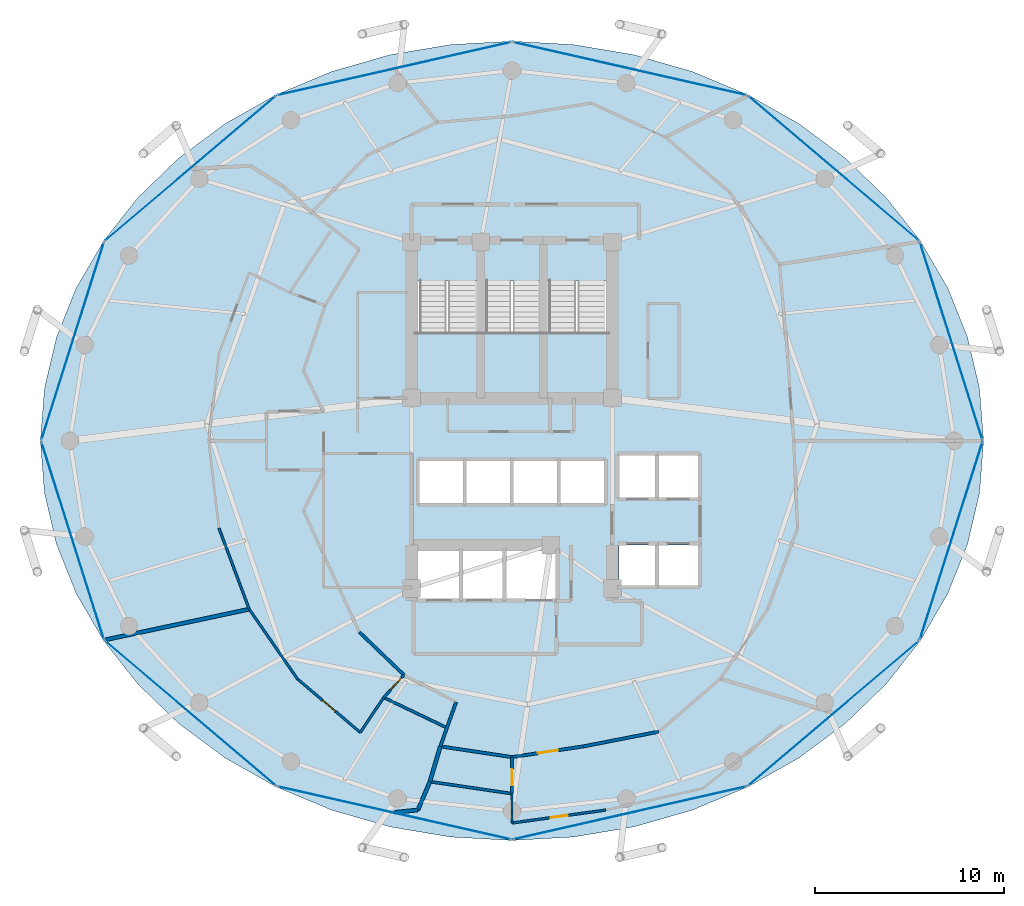
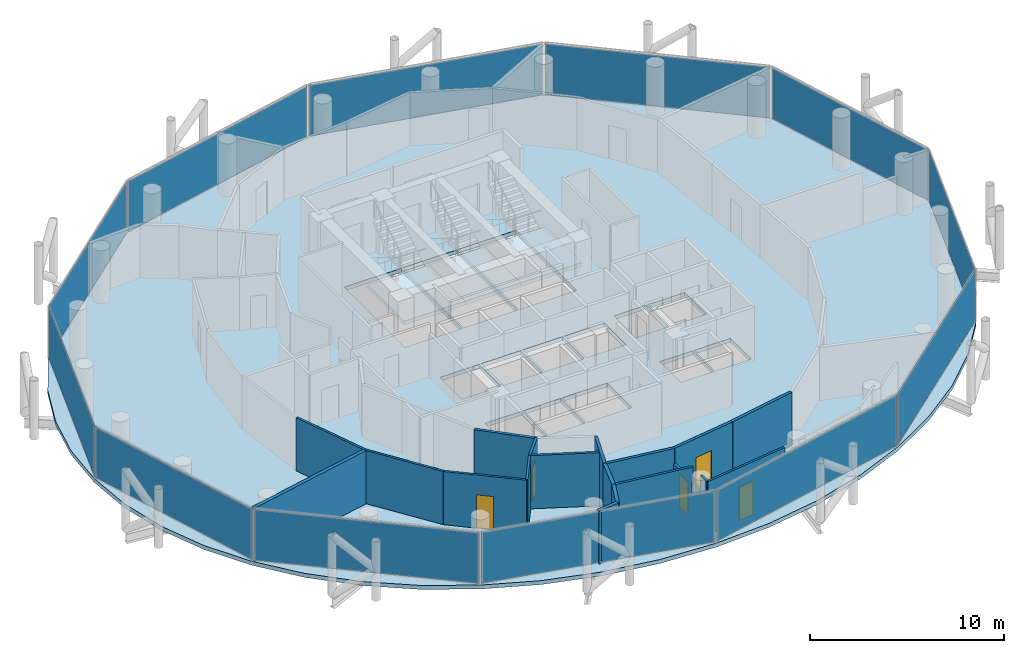
# One storey, part 21 of 26: 20 walls, 12 plates, 5 doors, 4 slabs, 5 openings, 15 elements without a shape of their own.
"""IFC4 building model written with IfcOpenShell, lengths in metres."""

from ifc_helpers import new_model, si_unit, direction, frame, frame_2d, origin, origin_2d, place, context, subcontext, project, spatial, polyline, rectangle, outline, extrude, material, layer, layer_set, type_object, element, fill, aggregate, save


model = new_model("IFC4")

# Units and contexts
model_context = context("Model", 3, precision=1e-05, world=origin(), true_north=direction((0.0, 1.0)))
body_context = subcontext(model_context, "Body", "Model", "MODEL_VIEW")
ifc_project = project(units=[si_unit("LENGTHUNIT", "METRE"), si_unit("AREAUNIT", "SQUARE_METRE"), si_unit("VOLUMEUNIT", "CUBIC_METRE"), si_unit("PLANEANGLEUNIT", "RADIAN"), si_unit("MASSUNIT", "GRAM", prefix="KILO")], contexts=[model_context])

# Site, building, storey
site_placement = place(None, origin())
site = spatial("IfcSite", under=ifc_project, at=site_placement, CompositionType="ELEMENT")
building_placement = place(site_placement, origin())
building = spatial("IfcBuilding", under=site, at=building_placement, Name="Nuhasar Tower", CompositionType="ELEMENT")
storey_placement = place(building_placement, frame((0.0, 0.0, 192.25)))
storey = spatial("IfcBuildingStorey", under=building, at=storey_placement, Name="L47", CompositionType="ELEMENT", Elevation=192.25)

# Curtain wall, plate
ifc_material_1 = material(Name="Aluminium 6063-T6", Category="aluminium")
ifc_layer_1 = layer(ifc_material_1, 0.199951171875)
ifc_layer_set_1 = layer_set([ifc_layer_1], Name="Aluminium 6063-T6")
curtain_wall_type = type_object("IfcCurtainWallType", Name="CW-Z2-HTL", PredefinedType="NOTDEFINED", material=ifc_layer_set_1)
curtain_wall_1_placement = place(storey_placement, origin())
curtain_wall_1 = element("IfcCurtainWall", 1, at=curtain_wall_1_placement, inside=storey, type_object=curtain_wall_type, Name="L47 Unitised Curtain Wall 01", PredefinedType="NOTDEFINED")
ifc_material_2 = material(Name="Glass Double Low-E", Category="glass")
ifc_layer_2 = layer(ifc_material_2, 0.028076171875)
ifc_layer_set_2 = layer_set([ifc_layer_2], Name="Glass Double Low-E")
plate_type = type_object("IfcPlateType", Name="CW-PANEL-GLZ", PredefinedType="CURTAIN_PANEL", material=ifc_layer_set_2)
plate_1_placement = place(storey_placement, frame((62.194580078125, 32.06494140625, 0.070068359375), z_axis=(0.0, 0.0, 1.0), x_axis=(-0.301603667577, 0.953433389233, 0.0)))
plate_1 = element("IfcPlate", 2, at=plate_1_placement, type_object=plate_type, Name="CW-Z2 panel 1.1", PredefinedType="CURTAIN_PANEL", context=body_context, shape_type="SweptSolid", body=[
    extrude(rectangle(XDim=10.904296875, YDim=0.028076171875, at=origin_2d()), origin(), (0.0, 0.0, 1.0), 3.2099609375),
])
aggregate(curtain_wall_1, [plate_1])

curtain_wall_2_placement = place(storey_placement, origin())
curtain_wall_2 = element("IfcCurtainWall", 3, at=curtain_wall_2_placement, inside=storey, type_object=curtain_wall_type, Name="L47 Unitised Curtain Wall 02", PredefinedType="NOTDEFINED")
plate_2_placement = place(storey_placement, frame((55.9794921875, 41.18408203125, 0.070068359375), z_axis=(0.0, 0.0, 1.0), x_axis=(-0.763020370292, 0.646374438324, 0.0)))
plate_2 = element("IfcPlate", 4, at=plate_2_placement, type_object=plate_type, Name="CW-Z2 panel 1.1", PredefinedType="CURTAIN_PANEL", context=body_context, shape_type="SweptSolid", body=[
    extrude(rectangle(XDim=11.784912109375, YDim=0.028076171875, at=origin_2d()), origin(), (0.0, 0.0, 1.0), 3.2099609375),
])
aggregate(curtain_wall_2, [plate_2])

curtain_wall_3_placement = place(storey_placement, origin())
curtain_wall_3 = element("IfcCurtainWall", 5, at=curtain_wall_3_placement, inside=storey, type_object=curtain_wall_type, Name="L47 Unitised Curtain Wall 03", PredefinedType="NOTDEFINED")
plate_3_placement = place(storey_placement, frame((45.215087890625, 46.448974609375, 0.070068359375), z_axis=(0.0, 0.0, 1.0), x_axis=(-0.975183694221, 0.22139729566, 0.0)))
plate_3 = element("IfcPlate", 6, at=plate_3_placement, type_object=plate_type, Name="CW-Z2 panel 1.1", PredefinedType="CURTAIN_PANEL", context=body_context, shape_type="SweptSolid", body=[
    extrude(rectangle(XDim=12.606201171875, YDim=0.028076171875, at=origin_2d()), origin(), (0.0, 0.0, 1.0), 3.2099609375),
])
aggregate(curtain_wall_3, [plate_3])

curtain_wall_4_placement = place(storey_placement, origin())
curtain_wall_4 = element("IfcCurtainWall", 7, at=curtain_wall_4_placement, inside=storey, type_object=curtain_wall_type, Name="L47 Unitised Curtain Wall 04", PredefinedType="NOTDEFINED")
plate_4_placement = place(storey_placement, frame((32.784912109375, 46.448974609375, 0.070068359375), z_axis=(0.0, 0.0, 1.0), x_axis=(-0.975183694221, -0.22139729566, 0.0)))
plate_4 = element("IfcPlate", 8, at=plate_4_placement, type_object=plate_type, Name="CW-Z2 panel 1.1", PredefinedType="CURTAIN_PANEL", context=body_context, shape_type="SweptSolid", body=[
    extrude(rectangle(XDim=12.606201171875, YDim=0.028076171875, at=origin_2d()), origin(), (0.0, 0.0, 1.0), 3.2099609375),
])
aggregate(curtain_wall_4, [plate_4])

curtain_wall_5_placement = place(storey_placement, origin())
curtain_wall_5 = element("IfcCurtainWall", 9, at=curtain_wall_5_placement, inside=storey, type_object=curtain_wall_type, Name="L47 Unitised Curtain Wall 05", PredefinedType="NOTDEFINED")
plate_5_placement = place(storey_placement, frame((22.0205078125, 41.18408203125, 0.070068359375), z_axis=(0.0, 0.0, 1.0), x_axis=(-0.763020370292, -0.646374438324, 0.0)))
plate_5 = element("IfcPlate", 10, at=plate_5_placement, type_object=plate_type, Name="CW-Z2 panel 1.1", PredefinedType="CURTAIN_PANEL", context=body_context, shape_type="SweptSolid", body=[
    extrude(rectangle(XDim=11.784912109375, YDim=0.028076171875, at=origin_2d()), origin(), (0.0, 0.0, 1.0), 3.2099609375),
])
aggregate(curtain_wall_5, [plate_5])

curtain_wall_6_placement = place(storey_placement, origin())
curtain_wall_6 = element("IfcCurtainWall", 11, at=curtain_wall_6_placement, inside=storey, type_object=curtain_wall_type, Name="L47 Unitised Curtain Wall 06", PredefinedType="NOTDEFINED")
plate_6_placement = place(storey_placement, frame((15.805419921875, 32.06494140625, 0.070068359375), z_axis=(0.0, 0.0, 1.0), x_axis=(-0.301603667577, -0.953433389233, 0.0)))
plate_6 = element("IfcPlate", 12, at=plate_6_placement, type_object=plate_type, Name="CW-Z2 panel 1.1", PredefinedType="CURTAIN_PANEL", context=body_context, shape_type="SweptSolid", body=[
    extrude(rectangle(XDim=10.904296875, YDim=0.028076171875, at=origin_2d()), origin(), (0.0, 0.0, 1.0), 3.2099609375),
])
aggregate(curtain_wall_6, [plate_6])

curtain_wall_7_placement = place(storey_placement, origin())
curtain_wall_7 = element("IfcCurtainWall", 13, at=curtain_wall_7_placement, inside=storey, type_object=curtain_wall_type, Name="L47 Unitised Curtain Wall 07", PredefinedType="NOTDEFINED")
plate_7_placement = place(storey_placement, frame((15.805419921875, 21.534912109375, 0.070068359375), z_axis=(0.0, 0.0, 1.0), x_axis=(0.301603667577, -0.953433389233, 0.0)))
plate_7 = element("IfcPlate", 14, at=plate_7_placement, type_object=plate_type, Name="CW-Z2 panel 1.1", PredefinedType="CURTAIN_PANEL", context=body_context, shape_type="SweptSolid", body=[
    extrude(rectangle(XDim=10.904296875, YDim=0.028076171875, at=origin_2d()), origin(), (0.0, 0.0, 1.0), 3.2099609375),
])
aggregate(curtain_wall_7, [plate_7])

curtain_wall_8_placement = place(storey_placement, origin())
curtain_wall_8 = element("IfcCurtainWall", 15, at=curtain_wall_8_placement, inside=storey, type_object=curtain_wall_type, Name="L47 Unitised Curtain Wall 08", PredefinedType="NOTDEFINED")
plate_8_placement = place(storey_placement, frame((22.0205078125, 12.416015625, 0.070068359375), z_axis=(0.0, 0.0, 1.0), x_axis=(0.763020370292, -0.646374438324, 0.0)))
plate_8 = element("IfcPlate", 16, at=plate_8_placement, type_object=plate_type, Name="CW-Z2 panel 1.1", PredefinedType="CURTAIN_PANEL", context=body_context, shape_type="SweptSolid", body=[
    extrude(rectangle(XDim=11.784912109375, YDim=0.028076171875, at=origin_2d()), origin(), (0.0, 0.0, 1.0), 3.2099609375),
])
aggregate(curtain_wall_8, [plate_8])

curtain_wall_9_placement = place(storey_placement, origin())
curtain_wall_9 = element("IfcCurtainWall", 17, at=curtain_wall_9_placement, inside=storey, type_object=curtain_wall_type, Name="L47 Unitised Curtain Wall 09", PredefinedType="NOTDEFINED")
plate_9_placement = place(storey_placement, frame((32.784912109375, 7.15087890625, 0.070068359375), z_axis=(0.0, 0.0, 1.0), x_axis=(0.975183694221, -0.22139729566, 0.0)))
plate_9 = element("IfcPlate", 18, at=plate_9_placement, type_object=plate_type, Name="CW-Z2 panel 1.1", PredefinedType="CURTAIN_PANEL", context=body_context, shape_type="SweptSolid", body=[
    extrude(rectangle(XDim=12.606201171875, YDim=0.028076171875, at=origin_2d()), origin(), (0.0, 0.0, 1.0), 3.2099609375),
])
aggregate(curtain_wall_9, [plate_9])

curtain_wall_10_placement = place(storey_placement, origin())
curtain_wall_10 = element("IfcCurtainWall", 19, at=curtain_wall_10_placement, inside=storey, type_object=curtain_wall_type, Name="L47 Unitised Curtain Wall 10", PredefinedType="NOTDEFINED")
plate_10_placement = place(storey_placement, frame((45.215087890625, 7.15087890625, 0.070068359375), z_axis=(0.0, 0.0, 1.0), x_axis=(0.975183694221, 0.22139729566, 0.0)))
plate_10 = element("IfcPlate", 20, at=plate_10_placement, type_object=plate_type, Name="CW-Z2 panel 1.1", PredefinedType="CURTAIN_PANEL", context=body_context, shape_type="SweptSolid", body=[
    extrude(rectangle(XDim=12.606201171875, YDim=0.028076171875, at=origin_2d()), origin(), (0.0, 0.0, 1.0), 3.2099609375),
])
aggregate(curtain_wall_10, [plate_10])

curtain_wall_11_placement = place(storey_placement, origin())
curtain_wall_11 = element("IfcCurtainWall", 21, at=curtain_wall_11_placement, inside=storey, type_object=curtain_wall_type, Name="L47 Unitised Curtain Wall 11", PredefinedType="NOTDEFINED")
plate_11_placement = place(storey_placement, frame((55.9794921875, 12.416015625, 0.070068359375), z_axis=(0.0, 0.0, 1.0), x_axis=(0.763020370292, 0.646374438324, 0.0)))
plate_11 = element("IfcPlate", 22, at=plate_11_placement, type_object=plate_type, Name="CW-Z2 panel 1.1", PredefinedType="CURTAIN_PANEL", context=body_context, shape_type="SweptSolid", body=[
    extrude(rectangle(XDim=11.784912109375, YDim=0.028076171875, at=origin_2d()), origin(), (0.0, 0.0, 1.0), 3.2099609375),
])
aggregate(curtain_wall_11, [plate_11])

curtain_wall_12_placement = place(storey_placement, origin())
curtain_wall_12 = element("IfcCurtainWall", 23, at=curtain_wall_12_placement, inside=storey, type_object=curtain_wall_type, Name="L47 Unitised Curtain Wall 12", PredefinedType="NOTDEFINED")
plate_12_placement = place(storey_placement, frame((62.194580078125, 21.534912109375, 0.070068359375), z_axis=(0.0, 0.0, 1.0), x_axis=(0.301603667577, 0.953433389233, 0.0)))
plate_12 = element("IfcPlate", 24, at=plate_12_placement, type_object=plate_type, Name="CW-Z2 panel 1.1", PredefinedType="CURTAIN_PANEL", context=body_context, shape_type="SweptSolid", body=[
    extrude(rectangle(XDim=10.904296875, YDim=0.028076171875, at=origin_2d()), origin(), (0.0, 0.0, 1.0), 3.2099609375),
])
aggregate(curtain_wall_12, [plate_12])

# Stair, slab
ifc_material_3 = material(Name="Concrete C45/55", Category="concrete")
stair_type_1 = type_object("IfcStairType", Name="STR-ST-01-2F-22R-1682", PredefinedType="HALF_TURN_STAIR", material=ifc_material_3)
stair_1_placement = place(storey_placement, origin())
stair_1 = element("IfcStair", 25, at=stair_1_placement, inside=storey, type_object=stair_type_1, Name="L47 Exit Stair ST-01", PredefinedType="HALF_TURN_STAIR")
ifc_layer_3 = layer(ifc_material_3, 0.239990234375)
ifc_layer_set_3 = layer_set([ifc_layer_3], Name="Concrete C45/55")
slab_type_1 = type_object("IfcSlabType", Name="SLB-STAIR-LND-240", PredefinedType="LANDING", material=ifc_layer_set_3)
slab_1_placement = place(storey_placement, frame((0.0, 0.0, 1.610107421875)))
slab_1 = element("IfcSlab", 26, at=slab_1_placement, type_object=slab_type_1, Name="ST-01 landing 1", PredefinedType="LANDING", context=body_context, shape_type="SweptSolid", body=[
    extrude(outline(polyline([(33.699951171875, 28.75), (37.35009765625, 28.75), (37.35009765625, 32.52001953125), (33.699951171875, 32.52001953125), (33.699951171875, 28.75)])), origin(), (0.0, 0.0, 1.0), 0.239990234375),
])
aggregate(stair_1, [slab_1])

stair_type_2 = type_object("IfcStairType", Name="STR-ST-03-2F-22R-1682", PredefinedType="HALF_TURN_STAIR", material=ifc_material_3)
stair_2_placement = place(storey_placement, origin())
stair_2 = element("IfcStair", 27, at=stair_2_placement, inside=storey, type_object=stair_type_2, Name="L47 Exit Stair ST-03", PredefinedType="HALF_TURN_STAIR")
slab_2_placement = place(storey_placement, frame((0.0, 0.0, 1.610107421875)))
slab_2 = element("IfcSlab", 28, at=slab_2_placement, type_object=slab_type_1, Name="ST-03 landing 1", PredefinedType="LANDING", context=body_context, shape_type="SweptSolid", body=[
    extrude(outline(polyline([(37.35009765625, 28.75), (40.64990234375, 28.75), (40.64990234375, 32.52001953125), (37.35009765625, 32.52001953125), (37.35009765625, 28.75)])), origin(), (0.0, 0.0, 1.0), 0.239990234375),
])
aggregate(stair_2, [slab_2])

stair_type_3 = type_object("IfcStairType", Name="STR-ST-02-2F-22R-1682", PredefinedType="HALF_TURN_STAIR", material=ifc_material_3)
stair_3_placement = place(storey_placement, origin())
stair_3 = element("IfcStair", 29, at=stair_3_placement, inside=storey, type_object=stair_type_3, Name="L47 Exit Stair ST-02", PredefinedType="HALF_TURN_STAIR")
slab_3_placement = place(storey_placement, frame((0.0, 0.0, 1.610107421875)))
slab_3 = element("IfcSlab", 30, at=slab_3_placement, type_object=slab_type_1, Name="ST-02 landing 1", PredefinedType="LANDING", context=body_context, shape_type="SweptSolid", body=[
    extrude(outline(polyline([(40.64990234375, 28.75), (44.300048828125, 28.75), (44.300048828125, 32.52001953125), (40.64990234375, 32.52001953125), (40.64990234375, 28.75)])), origin(), (0.0, 0.0, 1.0), 0.239990234375),
])
aggregate(stair_3, [slab_3])

# Slab
ifc_layer_4 = layer(ifc_material_3, 0.25)
ifc_layer_set_4 = layer_set([ifc_layer_4], Name="Concrete C45/55")
slab_type_2 = type_object("IfcSlabType", Name="SLB-Z1B-250", PredefinedType="FLOOR", material=ifc_layer_set_4)
slab_4_placement = place(storey_placement, frame((0.0, 0.0, -0.25)))
element("IfcSlab", 31, at=slab_4_placement, inside=storey, type_object=slab_type_2, Name="L47 Structural Slab", PredefinedType="FLOOR", context=body_context, shape_type="SweptSolid", body=[
    extrude(outline(polyline([(63.89990234375, 26.800048828125), (63.68701171875, 29.553955078125), (63.052001953125, 32.260986328125), (62.0048828125, 34.875), (60.56396484375, 37.35009765625), (58.75390625, 39.64501953125), (56.60693359375, 41.719970703125), (54.157958984375, 43.5400390625), (51.449951171875, 45.072998046875), (48.529052734375, 46.2939453125), (45.445068359375, 47.180908203125), (42.25, 47.718994140625), (39.0, 47.89990234375), (35.75, 47.718994140625), (32.554931640625, 47.180908203125), (29.470947265625, 46.2939453125), (26.550048828125, 45.072998046875), (23.842041015625, 43.5400390625), (21.39306640625, 41.719970703125), (19.24609375, 39.64501953125), (17.43603515625, 37.35009765625), (15.9951171875, 34.875), (14.947998046875, 32.260986328125), (14.31298828125, 29.553955078125), (14.10009765625, 26.800048828125), (14.31298828125, 24.0458984375), (14.947998046875, 21.339111328125), (15.9951171875, 18.72509765625), (17.43603515625, 16.25), (19.24609375, 13.955078125), (21.39306640625, 11.8798828125), (23.842041015625, 10.06005859375), (26.550048828125, 8.527099609375), (29.470947265625, 7.305908203125), (32.554931640625, 6.4189453125), (35.75, 5.881103515625), (39.0, 5.699951171875), (42.25, 5.881103515625), (45.445068359375, 6.4189453125), (48.529052734375, 7.305908203125), (51.449951171875, 8.527099609375), (54.157958984375, 10.06005859375), (56.60693359375, 11.8798828125), (58.75390625, 13.955078125), (60.56396484375, 16.25), (62.0048828125, 18.72509765625), (63.052001953125, 21.339111328125), (63.68701171875, 24.0458984375), (63.89990234375, 26.800048828125)]), holes=[polyline([(33.8798828125, 35.25), (37.300048828125, 35.25), (37.300048828125, 29.0), (33.8798828125, 29.0), (33.8798828125, 35.25)]), polyline([(37.39990234375, 35.25), (40.60009765625, 35.25), (40.60009765625, 29.0), (37.39990234375, 29.0), (37.39990234375, 35.25)]), polyline([(40.699951171875, 35.25), (44.1201171875, 35.25), (44.1201171875, 29.0), (40.699951171875, 29.0), (40.699951171875, 35.25)]), polyline([(44.64990234375, 26.050048828125), (46.60009765625, 26.050048828125), (46.60009765625, 23.800048828125), (44.64990234375, 23.800048828125), (44.64990234375, 26.050048828125)]), polyline([(46.699951171875, 26.050048828125), (48.85009765625, 26.050048828125), (48.85009765625, 23.800048828125), (46.699951171875, 23.800048828125), (46.699951171875, 26.050048828125)]), polyline([(44.64990234375, 21.300048828125), (46.60009765625, 21.300048828125), (46.60009765625, 19.14990234375), (44.64990234375, 19.14990234375), (44.64990234375, 21.300048828125)]), polyline([(46.699951171875, 21.300048828125), (48.85009765625, 21.300048828125), (48.85009765625, 19.14990234375), (46.699951171875, 19.14990234375), (46.699951171875, 21.300048828125)]), polyline([(34.10009765625, 25.75), (36.43994140625, 25.75), (36.43994140625, 23.5), (34.10009765625, 23.5), (34.10009765625, 25.75)]), polyline([(36.580078125, 25.75), (38.919921875, 25.75), (38.919921875, 23.5), (36.580078125, 23.5), (36.580078125, 25.75)]), polyline([(39.06005859375, 25.75), (41.39990234375, 25.75), (41.39990234375, 23.5), (39.06005859375, 23.5), (39.06005859375, 25.75)]), polyline([(41.5400390625, 25.75), (43.8798828125, 25.75), (43.8798828125, 23.5), (41.5400390625, 23.5), (41.5400390625, 25.75)]), polyline([(34.050048828125, 21.0), (36.25, 21.0), (36.25, 18.449951171875), (34.050048828125, 18.449951171875), (34.050048828125, 21.0)]), polyline([(36.35009765625, 21.0), (38.550048828125, 21.0), (38.550048828125, 18.449951171875), (36.35009765625, 18.449951171875), (36.35009765625, 21.0)]), polyline([(38.64990234375, 21.0), (41.320068359375, 21.0), (41.320068359375, 18.449951171875), (38.64990234375, 18.449951171875), (38.64990234375, 21.0)])]), origin(), (0.0, 0.0, 1.0), 0.25),
])

# Wall
ifc_material_4 = material(Name="Gypsum Board", Category="gypsum")
ifc_layer_5 = layer(ifc_material_4, 0.159912109375)
ifc_layer_set_5 = layer_set([ifc_layer_5], Name="Gypsum Board")
wall_type_1 = type_object("IfcWallType", Name="WL-CORR-160", PredefinedType="PARTITIONING", material=ifc_layer_set_5)
wall_1_placement = place(storey_placement, frame((35.216064453125, 10.6689453125, 0.0), z_axis=(0.0, 0.0, 1.0), x_axis=(0.988888097148, -0.148661801817, 0.0)))
element("IfcWall", 32, at=wall_1_placement, inside=storey, type_object=wall_type_1, Name="L47 Interior Partition CORR-34", PredefinedType="PARTITIONING", context=body_context, shape_type="SweptSolid", body=[
    extrude(rectangle(XDim=3.826416015625, YDim=0.159912109375, at=frame_2d((1.9130859375, 0.0))), origin(), (0.0, 0.0, 1.0), 3.35009765625),
])

# Wall, opening, door
wall_2_placement = place(storey_placement, frame((42.783935546875, 10.6689453125, 0.0), z_axis=(0.0, 0.0, 1.0), x_axis=(-0.988888097148, -0.148661801817, 0.0)))
wall_2 = element("IfcWall", 33, at=wall_2_placement, inside=storey, type_object=wall_type_1, Name="L47 Interior Partition CORR-36", PredefinedType="PARTITIONING", context=body_context, shape_type="SweptSolid", body=[
    extrude(rectangle(XDim=3.826416015625, YDim=0.159912109375, at=frame_2d((1.9130859375, 0.0))), origin(), (0.0, 0.0, 1.0), 3.35009765625),
])
opening_1_placement = place(wall_2_placement, frame((1.387939453125, 0.0, 0.0)))
opening_1 = element("IfcOpeningElement", 34, at=opening_1_placement, cuts=wall_2, Name="Opening DU-01", PredefinedType="OPENING", context=body_context, shape_type="SweptSolid", body=[
    extrude(rectangle(XDim=1.050048828125, YDim=2.14990234375, at=frame_2d((0.52490234375, 1.074951171875))), frame((0.0, 0.08984375, 0.0), z_axis=(0.0, -1.0, 0.0), x_axis=(1.0, 0.0, 0.0)), (0.0, 0.0, 1.0), 0.179931640625),
])
ifc_material_5 = material(Name="Timber Oak", Category="wood")
door_type_1 = type_object("IfcDoorType", Name="DR-SUITE-FD60-1050", OperationType="NOTDEFINED", PredefinedType="DOOR", material=ifc_material_5)
door_1_placement = place(opening_1_placement, origin())
door_1 = element("IfcDoor", 35, at=door_1_placement, inside=storey, type_object=door_type_1, Name="L47 Royal Hijaz Suite East Entrance Door", OperationType="SINGLE_SWING_LEFT", OverallHeight=2.14990234375, OverallWidth=1.050048828125, PredefinedType="DOOR", context=body_context, shape_type="SweptSolid", body=[
    extrude(rectangle(XDim=1.050048828125, YDim=2.14990234375, at=frame_2d((0.52490234375, 1.074951171875))), frame((0.0, 0.02490234375, 0.0), z_axis=(0.0, -1.0, 0.0), x_axis=(1.0, 0.0, 0.0)), (0.0, 0.0, 1.0), 0.050048828125),
])
fill(opening_1, door_1)

# Walls
wall_3_placement = place(storey_placement, frame((42.783935546875, 10.6689453125, 0.0), z_axis=(0.0, 0.0, 1.0), x_axis=(0.981485343451, 0.191537256405, 0.0)))
element("IfcWall", 36, at=wall_3_placement, inside=storey, type_object=wall_type_1, Name="L47 Interior Partition CORR-38", PredefinedType="PARTITIONING", context=body_context, shape_type="SweptSolid", body=[
    extrude(rectangle(XDim=4.052001953125, YDim=0.159912109375, at=frame_2d((2.02587890625, 0.0))), origin(), (0.0, 0.0, 1.0), 3.35009765625),
])
wall_4_placement = place(storey_placement, frame((36.049072265625, 13.007080078125, 0.0), z_axis=(0.0, 0.0, 1.0), x_axis=(-0.335607268638, -0.942001996408, 0.0)))
element("IfcWall", 37, at=wall_4_placement, inside=storey, type_object=wall_type_1, Name="L47 Interior Partition HRAD-34-IN", PredefinedType="PARTITIONING", context=body_context, shape_type="SweptSolid", body=[
    extrude(rectangle(XDim=2.482177734375, YDim=0.159912109375, at=frame_2d((1.2412109375, 0.0))), origin(), (0.0, 0.0, 1.0), 3.35009765625),
])
wall_5_placement = place(storey_placement, frame((30.93896484375, 16.702880859375, 0.0), z_axis=(0.0, 0.0, 1.0), x_axis=(0.72090897908, -0.693029756851, 0.0)))
element("IfcWall", 38, at=wall_5_placement, inside=storey, type_object=wall_type_1, Name="L47 Interior Partition HWEST-CORE-S2-30", PredefinedType="PARTITIONING", context=body_context, shape_type="SweptSolid", body=[
    extrude(rectangle(XDim=3.275146484375, YDim=0.159912109375, at=frame_2d((1.6376953125, 0.0))), origin(), (0.0, 0.0, 1.0), 3.35009765625),
])
ifc_layer_6 = layer(ifc_material_4, 0.125)
ifc_layer_set_6 = layer_set([ifc_layer_6], Name="Gypsum Board")
wall_type_2 = type_object("IfcWallType", Name="WL-PART-125", PredefinedType="PARTITIONING", material=ifc_layer_set_6)
wall_6_placement = place(storey_placement, frame((39.0, 8.169921875, 0.0), z_axis=(0.0, 0.0, 1.0), x_axis=(0.0, -1.0, 0.0)))
element("IfcWall", 39, at=wall_6_placement, inside=storey, type_object=wall_type_2, Name="L47 Interior Partition HBS-01", PredefinedType="PARTITIONING", context=body_context, shape_type="SweptSolid", body=[
    extrude(rectangle(XDim=0.928955078125, YDim=0.125, at=frame_2d((0.46435546875, 0.0))), origin(), (0.0, 0.0, 1.0), 2.4150390625),
])
wall_7_placement = place(storey_placement, frame((39.0, 7.240966796875, 0.0), z_axis=(0.0, 0.0, 1.0), x_axis=(0.0, -1.0, 0.0)))
element("IfcWall", 40, at=wall_7_placement, inside=storey, type_object=wall_type_2, Name="L47 Interior Partition HBS-01", PredefinedType="PARTITIONING", context=body_context, shape_type="SweptSolid", body=[
    extrude(rectangle(XDim=0.620849609375, YDim=0.125, at=frame_2d((0.310546875, 0.0))), origin(), (0.0, 0.0, 1.0), 3.35009765625),
])

# Wall, opening, door
wall_8_placement = place(storey_placement, frame((43.968994140625, 7.30810546875, 0.0), z_axis=(0.0, 0.0, 1.0), x_axis=(-0.99055057881, -0.13714791584, 0.0)))
wall_8 = element("IfcWall", 41, at=wall_8_placement, inside=storey, type_object=wall_type_2, Name="L47 Interior Partition HSAL-01-36", PredefinedType="PARTITIONING", context=body_context, shape_type="SweptSolid", body=[
    extrude(rectangle(XDim=5.016357421875, YDim=0.125, at=frame_2d((2.50830078125, 0.0))), origin(), (0.0, 0.0, 1.0), 3.35009765625),
])
opening_2_placement = place(wall_8_placement, frame((2.05810546875, 0.0, 0.0)))
opening_2 = element("IfcOpeningElement", 42, at=opening_2_placement, cuts=wall_8, Name="Opening DR-01", PredefinedType="OPENING", context=body_context, shape_type="SweptSolid", body=[
    extrude(rectangle(XDim=0.89990234375, YDim=2.10009765625, at=frame_2d((0.449951171875, 1.050048828125))), frame((0.0, 0.072509765625, 0.0), z_axis=(0.0, -1.0, 0.0), x_axis=(1.0, 0.0, 0.0)), (0.0, 0.0, 1.0), 0.14501953125),
])
door_type_2 = type_object("IfcDoorType", Name="DR-ROOM-900", OperationType="NOTDEFINED", PredefinedType="DOOR", material=ifc_material_5)
door_2_placement = place(opening_2_placement, origin())
door_2 = element("IfcDoor", 43, at=door_2_placement, inside=storey, type_object=door_type_2, Name="L47 Royal Hijaz Suite East Bedroom Door", OperationType="SINGLE_SWING_LEFT", OverallHeight=2.10009765625, OverallWidth=0.89990234375, PredefinedType="DOOR", context=body_context, shape_type="SweptSolid", body=[
    extrude(rectangle(XDim=0.89990234375, YDim=2.10009765625, at=frame_2d((0.449951171875, 1.050048828125))), frame((0.0, 0.02490234375, 0.0), z_axis=(0.0, -1.0, 0.0), x_axis=(1.0, 0.0, 0.0)), (0.0, 0.0, 1.0), 0.050048828125),
])
fill(opening_2, door_2)

# Walls
wall_9_placement = place(storey_placement, frame((32.22509765625, 13.2470703125, 0.0), z_axis=(0.0, 0.0, 1.0), x_axis=(-0.556297850913, -0.830982972791, 0.0)))
element("IfcWall", 44, at=wall_9_placement, inside=storey, type_object=wall_type_2, Name="L47 Interior Partition HWS2-N", PredefinedType="PARTITIONING", context=body_context, shape_type="SweptSolid", body=[
    extrude(rectangle(XDim=2.22021484375, YDim=0.125, at=frame_2d((1.110107421875, 0.0))), origin(), (0.0, 0.0, 1.0), 3.35009765625),
])
wall_10_placement = place(storey_placement, frame((23.52587890625, 22.197998046875, 0.0), z_axis=(0.0, 0.0, 1.0), x_axis=(0.349603098964, -0.936897899024, 0.0)))
element("IfcWall", 45, at=wall_10_placement, inside=storey, type_object=wall_type_2, Name="L47 Interior Partition HWS2-ARC-26", PredefinedType="PARTITIONING", context=body_context, shape_type="SweptSolid", body=[
    extrude(rectangle(XDim=4.576904296875, YDim=0.125, at=frame_2d((2.28857421875, 0.0))), origin(), (0.0, 0.0, 1.0), 3.35009765625),
])
wall_11_placement = place(storey_placement, frame((25.1259765625, 17.909912109375, 0.0), z_axis=(0.0, 0.0, 1.0), x_axis=(0.568778830708, -0.822490511641, 0.0)))
element("IfcWall", 46, at=wall_11_placement, inside=storey, type_object=wall_type_2, Name="L47 Interior Partition HWS2-ARC-28", PredefinedType="PARTITIONING", context=body_context, shape_type="SweptSolid", body=[
    extrude(rectangle(XDim=4.4765625, YDim=0.125, at=frame_2d((2.23828125, 0.0))), origin(), (0.0, 0.0, 1.0), 3.35009765625),
])

# Wall, opening, door
wall_12_placement = place(storey_placement, frame((27.672119140625, 14.22802734375, 0.0), z_axis=(0.0, 0.0, 1.0), x_axis=(0.76128931679, -0.648412350393, 0.0)))
wall_12 = element("IfcWall", 47, at=wall_12_placement, inside=storey, type_object=wall_type_2, Name="L47 Interior Partition HWS2-ARC-30", PredefinedType="PARTITIONING", context=body_context, shape_type="SweptSolid", body=[
    extrude(rectangle(XDim=4.358154296875, YDim=0.125, at=frame_2d((2.17919921875, 0.0))), origin(), (0.0, 0.0, 1.0), 3.35009765625),
])
opening_3_placement = place(wall_12_placement, frame((1.72900390625, 0.0, 0.0)))
opening_3 = element("IfcOpeningElement", 48, at=opening_3_placement, cuts=wall_12, Name="Opening DR-01", PredefinedType="OPENING", context=body_context, shape_type="SweptSolid", body=[
    extrude(rectangle(XDim=0.89990234375, YDim=2.10009765625, at=frame_2d((0.449951171875, 1.050048828125))), frame((0.0, 0.072509765625, 0.0), z_axis=(0.0, -1.0, 0.0), x_axis=(1.0, 0.0, 0.0)), (0.0, 0.0, 1.0), 0.14501953125),
])
door_3_placement = place(opening_3_placement, origin())
door_3 = element("IfcDoor", 49, at=door_3_placement, inside=storey, type_object=door_type_2, Name="L47 South-West Presidential Suite Bedroom Door", OperationType="SINGLE_SWING_RIGHT", OverallHeight=2.10009765625, OverallWidth=0.89990234375, PredefinedType="DOOR", context=body_context, shape_type="SweptSolid", body=[
    extrude(rectangle(XDim=0.89990234375, YDim=2.10009765625, at=frame_2d((0.449951171875, 1.050048828125))), frame((0.0, 0.02490234375, 0.0), z_axis=(0.0, -1.0, 0.0), x_axis=(1.0, 0.0, 0.0)), (0.0, 0.0, 1.0), 0.050048828125),
])
fill(opening_3, door_3)

# Walls
ifc_material_6 = material(Name="Concrete C40/50 precast", Category="concrete")
ifc_layer_7 = layer(ifc_material_6, 0.199951171875)
ifc_layer_set_7 = layer_set([ifc_layer_7], Name="Concrete C40/50 precast")
wall_type_3 = type_object("IfcWallType", Name="WL-UNIT-200", PredefinedType="PARTITIONING", material=ifc_layer_set_7)
wall_13_placement = place(storey_placement, frame((35.216064453125, 10.6689453125, 0.0), z_axis=(0.0, 0.0, 1.0), x_axis=(-0.283485285535, -0.958976586203, 0.0)))
element("IfcWall", 50, at=wall_13_placement, inside=storey, type_object=wall_type_3, Name="L47 Interior Partition HRAD-34-OUT-S1", PredefinedType="PARTITIONING", context=body_context, shape_type="SweptSolid", body=[
    extrude(rectangle(XDim=1.94384765625, YDim=0.199951171875, at=frame_2d((0.971923828125, 0.0))), origin(), (0.0, 0.0, 1.0), 3.35009765625),
])
wall_14_placement = place(storey_placement, frame((34.6650390625, 8.804931640625, 0.0), z_axis=(0.0, 0.0, 1.0), x_axis=(-0.39003681134, -0.920799264661, 0.0)))
element("IfcWall", 51, at=wall_14_placement, inside=storey, type_object=wall_type_3, Name="L47 Interior Partition HRAD-34-OUT-S2", PredefinedType="PARTITIONING", context=body_context, shape_type="SweptSolid", body=[
    extrude(rectangle(XDim=1.62548828125, YDim=0.199951171875, at=frame_2d((0.812744140625, 0.0))), origin(), (0.0, 0.0, 1.0), 3.35009765625),
])
wall_15_placement = place(storey_placement, frame((34.031005859375, 7.30810546875, 0.0), z_axis=(0.0, 0.0, 1.0), x_axis=(-0.995011882632, -0.09975647057, 0.0)))
element("IfcWall", 52, at=wall_15_placement, inside=storey, type_object=wall_type_3, Name="L47 Interior Partition HRAD-34-OUT-S3", PredefinedType="PARTITIONING", context=body_context, shape_type="SweptSolid", body=[
    extrude(rectangle(XDim=1.2431640625, YDim=0.199951171875, at=frame_2d((0.62158203125, 0.0))), origin(), (0.0, 0.0, 1.0), 3.35009765625),
])
wall_16_placement = place(storey_placement, frame((25.1259765625, 17.909912109375, 0.0), z_axis=(0.0, 0.0, 1.0), x_axis=(-0.978119354701, -0.208044533596, 0.0)))
element("IfcWall", 53, at=wall_16_placement, inside=storey, type_object=wall_type_3, Name="L47 Interior Partition HWEST-DIV-OUT", PredefinedType="PARTITIONING", context=body_context, shape_type="SweptSolid", body=[
    extrude(rectangle(XDim=7.795654296875, YDim=0.199951171875, at=frame_2d((3.89794921875, 0.0))), origin(), (0.0, 0.0, 1.0), 3.35009765625),
])

# Wall, opening, door
ifc_layer_8 = layer(ifc_material_6, 0.139892578125)
ifc_layer_set_8 = layer_set([ifc_layer_8], Name="Concrete C40/50 precast")
wall_type_4 = type_object("IfcWallType", Name="WL-WET-140", PredefinedType="PARTITIONING", material=ifc_layer_set_8)
wall_17_placement = place(storey_placement, frame((39.0, 10.10009765625, 0.0), z_axis=(0.0, 0.0, 1.0), x_axis=(0.0, -1.0, 0.0)))
wall_17 = element("IfcWall", 54, at=wall_17_placement, inside=storey, type_object=wall_type_4, Name="L47 Interior Partition HBW-01", PredefinedType="PARTITIONING", context=body_context, shape_type="SweptSolid", body=[
    extrude(rectangle(XDim=1.93017578125, YDim=0.139892578125, at=frame_2d((0.965087890625, 0.0))), origin(), (0.0, 0.0, 1.0), 2.4150390625),
])
opening_4_placement = place(wall_17_placement, frame((0.635986328125, 0.0, 0.0)))
opening_4 = element("IfcOpeningElement", 55, at=opening_4_placement, cuts=wall_17, Name="Opening DB-01", PredefinedType="OPENING", context=body_context, shape_type="SweptSolid", body=[
    extrude(rectangle(XDim=0.85009765625, YDim=2.10009765625, at=frame_2d((0.425048828125, 1.050048828125))), frame((0.0, 0.080078125, 0.0), z_axis=(0.0, -1.0, 0.0), x_axis=(1.0, 0.0, 0.0)), (0.0, 0.0, 1.0), 0.159912109375),
])
door_type_3 = type_object("IfcDoorType", Name="DR-BATH-850", OperationType="NOTDEFINED", PredefinedType="DOOR", material=ifc_material_5)
door_4_placement = place(opening_4_placement, origin())
door_4 = element("IfcDoor", 56, at=door_4_placement, inside=storey, type_object=door_type_3, Name="L47 Royal Hijaz Suite East En-Suite Door", OperationType="SINGLE_SWING_RIGHT", OverallHeight=2.10009765625, OverallWidth=0.85009765625, PredefinedType="DOOR", context=body_context, shape_type="SweptSolid", body=[
    extrude(rectangle(XDim=0.85009765625, YDim=2.10009765625, at=frame_2d((0.425048828125, 1.050048828125))), frame((0.0, 0.02490234375, 0.0), z_axis=(0.0, -1.0, 0.0), x_axis=(1.0, 0.0, 0.0)), (0.0, 0.0, 1.0), 0.050048828125),
])
fill(opening_4, door_4)

# Wall
wall_18_placement = place(storey_placement, frame((34.6650390625, 8.804931640625, 0.0), z_axis=(0.0, 0.0, 1.0), x_axis=(0.989440607964, -0.144938895095, 0.0)))
element("IfcWall", 57, at=wall_18_placement, inside=storey, type_object=wall_type_4, Name="L47 Interior Partition HBF-01-34", PredefinedType="PARTITIONING", context=body_context, shape_type="SweptSolid", body=[
    extrude(rectangle(XDim=4.381103515625, YDim=0.139892578125, at=frame_2d((2.1904296875, 0.0))), origin(), (0.0, 0.0, 1.0), 3.35009765625),
])

# Wall, opening, door
wall_19_placement = place(storey_placement, frame((33.300048828125, 14.43310546875, 0.0), z_axis=(0.0, 0.0, 1.0), x_axis=(-0.671556062003, -0.740953747266, 0.0)))
wall_19 = element("IfcWall", 58, at=wall_19_placement, inside=storey, type_object=wall_type_4, Name="L47 Interior Partition HBW2-N", PredefinedType="PARTITIONING", context=body_context, shape_type="SweptSolid", body=[
    extrude(rectangle(XDim=1.6005859375, YDim=0.139892578125, at=frame_2d((0.80029296875, 0.0))), origin(), (0.0, 0.0, 1.0), 3.35009765625),
])
opening_5_placement = place(wall_19_placement, frame((0.199951171875, 0.0, 0.0)))
opening_5 = element("IfcOpeningElement", 59, at=opening_5_placement, cuts=wall_19, Name="Opening DB-01", PredefinedType="OPENING", context=body_context, shape_type="SweptSolid", body=[
    extrude(rectangle(XDim=0.85009765625, YDim=2.10009765625, at=frame_2d((0.425048828125, 1.050048828125))), frame((0.0, 0.080078125, 0.0), z_axis=(0.0, -1.0, 0.0), x_axis=(1.0, 0.0, 0.0)), (0.0, 0.0, 1.0), 0.159912109375),
])
door_5_placement = place(opening_5_placement, origin())
door_5 = element("IfcDoor", 60, at=door_5_placement, inside=storey, type_object=door_type_3, Name="L47 South-West Presidential Suite En-Suite Door", OperationType="SINGLE_SWING_LEFT", OverallHeight=2.10009765625, OverallWidth=0.85009765625, PredefinedType="DOOR", context=body_context, shape_type="SweptSolid", body=[
    extrude(rectangle(XDim=0.85009765625, YDim=2.10009765625, at=frame_2d((0.425048828125, 1.050048828125))), frame((0.0, 0.02490234375, 0.0), z_axis=(0.0, -1.0, 0.0), x_axis=(1.0, 0.0, 0.0)), (0.0, 0.0, 1.0), 0.050048828125),
])
fill(opening_5, door_5)

# Wall
wall_20_placement = place(storey_placement, frame((32.22509765625, 13.2470703125, 0.0), z_axis=(0.0, 0.0, 1.0), x_axis=(0.902016722043, -0.431701092372, 0.0)))
element("IfcWall", 61, at=wall_20_placement, inside=storey, type_object=wall_type_4, Name="L47 Interior Partition HBW2-E", PredefinedType="PARTITIONING", context=body_context, shape_type="SweptSolid", body=[
    extrude(rectangle(XDim=3.622802734375, YDim=0.139892578125, at=frame_2d((1.8115234375, 0.0))), origin(), (0.0, 0.0, 1.0), 3.35009765625),
])

save(model, "model.ifc")
